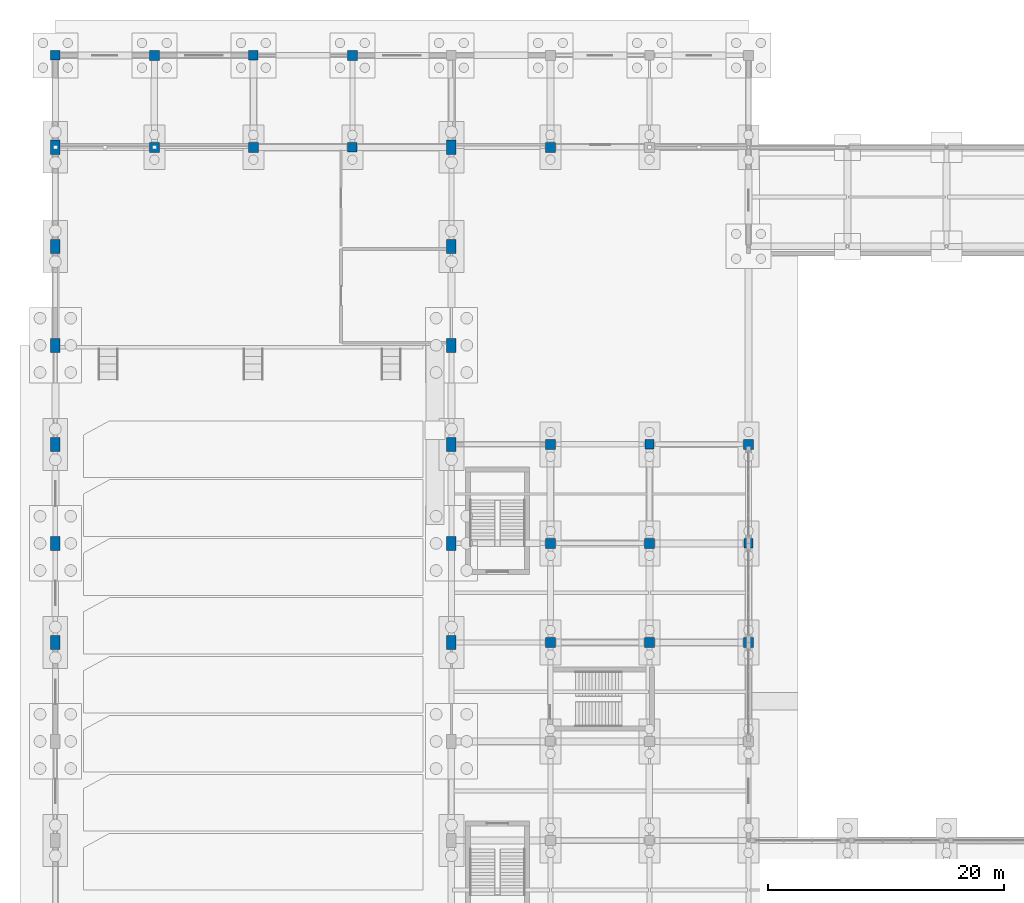
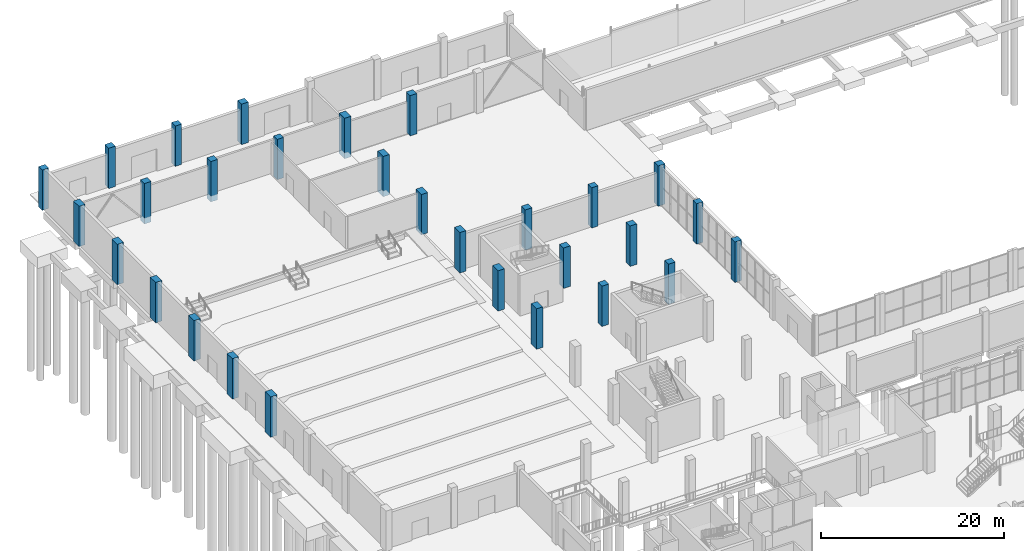
# One storey, part 14 of 82: 29 columns.
"""IFC4 building model written with IfcOpenShell, lengths in metres."""

from ifc_helpers import new_model, si_unit, derived_unit, direction, frame, origin, origin_2d, place, context, subcontext, project, spatial, rectangle, extrude, material, material_profile, profile_set, type_object, element, save


model = new_model("IFC4")

# Units and contexts
model_context = context("Model", 3, precision=1e-05, world=origin(), true_north=direction((0.0, 1.0)))
body_context = subcontext(model_context, "Body", "Model", "MODEL_VIEW")
ifc_project = project(units=[si_unit("LENGTHUNIT", "METRE"), si_unit("AREAUNIT", "SQUARE_METRE"), si_unit("VOLUMEUNIT", "CUBIC_METRE"), si_unit("PLANEANGLEUNIT", "RADIAN"), si_unit("MASSUNIT", "GRAM", prefix="KILO"), derived_unit("THERMALTRANSMITTANCEUNIT", [(si_unit("POWERUNIT", "WATT"), 1), (si_unit("LENGTHUNIT", "METRE"), -2), (si_unit("THERMODYNAMICTEMPERATUREUNIT", "KELVIN"), -1)])], contexts=[model_context])

# Site, building, storey
site_placement = place(None, origin())
site = spatial("IfcSite", under=ifc_project, at=site_placement, CompositionType="ELEMENT")
building_placement = place(site_placement, origin())
building = spatial("IfcBuilding", under=site, at=building_placement, Name="Barrovel Congress Hotel", CompositionType="ELEMENT")
storey_placement = place(building_placement, origin())
storey = spatial("IfcBuildingStorey", under=building, at=storey_placement, Name="L00", CompositionType="ELEMENT", Elevation=0.0)

# Columns
ifc_material = material(Name="Concrete C40", Category="concrete")
ifc_material_profile_1 = material_profile(ifc_material, rectangle(XDim=0.800048828125, YDim=1.199951171875, at=origin_2d()), Name="RC800x1200")
ifc_profile_set_1 = profile_set([ifc_material_profile_1], Name="Concrete C40")
column_type_1 = type_object("IfcColumnType", Name="COL-RC800x1200", PredefinedType="COLUMN", material=ifc_profile_set_1)
for number, where, z_axis, x_axis, name in (
    (1, (0.0, 63.0, 0.0), (0.0, 0.0, 1.0), (1.0, 0.0, 0.0), "COL:L00:0.0:63.0"),
    (2, (0.0, 71.39990234375, 0.0), (0.0, 0.0, 1.0), (1.0, 0.0, 0.0), "COL:L00:0.0:71.4"),
    (3, (0.0, 79.800048828125, 0.0), (0.0, 0.0, 1.0), (1.0, 0.0, 0.0), "COL:L00:0.0:79.8"),
    (4, (0.0, 88.199951171875, 0.0), (0.0, 0.0, 1.0), (1.0, 0.0, 0.0), "COL:L00:0.0:88.2"),
    (5, (0.0, 96.60009765625, 0.0), (0.0, 0.0, 1.0), (1.0, 0.0, 0.0), "COL:L00:0.0:96.6"),
    (6, (0.0, 105.0, 0.0), (0.0, 0.0, 1.0), (1.0, 0.0, 0.0), "COL:L00:0.0:105.0"),
    (7, (33.60009765625, 63.0, 0.0), (0.0, 0.0, 1.0), (1.0, 0.0, 0.0), "COL:L00:33.6:63.0"),
    (8, (33.60009765625, 71.39990234375, 0.0), (0.0, 0.0, 1.0), (1.0, 0.0, 0.0), "COL:L00:33.6:71.4"),
    (9, (33.60009765625, 79.800048828125, 0.0), (0.0, 0.0, 1.0), (1.0, 0.0, 0.0), "COL:L00:33.6:79.8"),
    (10, (33.60009765625, 88.199951171875, 0.0), (0.0, 0.0, 1.0), (1.0, 0.0, 0.0), "COL:L00:33.6:88.2"),
    (11, (33.60009765625, 96.60009765625, 0.0), (0.0, 0.0, 1.0), (1.0, 0.0, 0.0), "COL:L00:33.6:96.6"),
    (12, (33.60009765625, 105.0, 0.0), (0.0, 0.0, 1.0), (1.0, 0.0, 0.0), "COL:L00:33.6:105.0"),
):
    element("IfcColumn", number, at=place(storey_placement, frame(where, z_axis=z_axis, x_axis=x_axis)), inside=storey, type_object=column_type_1, Name=name, PredefinedType="COLUMN", context=body_context, shape_type="SweptSolid", body=[
        extrude(rectangle(XDim=0.800048828125, YDim=1.199951171875, at=origin_2d()), origin(), (0.0, 0.0, 1.0), 5.39990234375),
    ])
ifc_material_profile_2 = material_profile(ifc_material, rectangle(XDim=0.800048828125, YDim=0.800048828125, at=origin_2d()), Name="RC800x800")
ifc_profile_set_2 = profile_set([ifc_material_profile_2], Name="Concrete C40")
column_type_2 = type_object("IfcColumnType", Name="COL-RC800x800", PredefinedType="COLUMN", material=ifc_profile_set_2)
for number, where, z_axis, x_axis, name in (
    (13, (0.0, 112.800048828125, 0.0), (0.0, 0.0, 1.0), (1.0, 0.0, 0.0), "COL:L00:0.0:112.8"),
    (14, (16.800048828125, 112.800048828125, 0.0), (0.0, 0.0, 1.0), (1.0, 0.0, 0.0), "COL:L00:16.8:112.8"),
    (15, (25.199951171875, 105.0, 0.0), (0.0, 0.0, 1.0), (1.0, 0.0, 0.0), "COL:L00:25.2:105.0"),
    (16, (50.39990234375, 79.800048828125, 0.0), (0.0, 0.0, 1.0), (1.0, 0.0, 0.0), "COL:L00:50.4:79.8"),
    (17, (58.800048828125, 71.39990234375, 0.0), (0.0, 0.0, 1.0), (1.0, 0.0, 0.0), "COL:L00:58.8:71.4"),
):
    element("IfcColumn", number, at=place(storey_placement, frame(where, z_axis=z_axis, x_axis=x_axis)), inside=storey, type_object=column_type_2, Name=name, PredefinedType="COLUMN", context=body_context, shape_type="SweptSolid", body=[
        extrude(rectangle(XDim=0.800048828125, YDim=0.800048828125, at=origin_2d()), origin(), (0.0, 0.0, 1.0), 5.39990234375),
    ])
ifc_material_profile_3 = material_profile(ifc_material, rectangle(XDim=0.85009765625, YDim=0.85009765625, at=origin_2d()), Name="RC850x850")
ifc_profile_set_3 = profile_set([ifc_material_profile_3], Name="Concrete C40")
column_type_3 = type_object("IfcColumnType", Name="COL-RC850x850", PredefinedType="COLUMN", material=ifc_profile_set_3)
for number, where, z_axis, x_axis, name in (
    (18, (8.39990234375, 105.0, 0.0), (0.0, 0.0, 1.0), (1.0, 0.0, 0.0), "COL:L00:8.4:105.0"),
    (19, (8.39990234375, 112.800048828125, 0.0), (0.0, 0.0, 1.0), (1.0, 0.0, 0.0), "COL:L00:8.4:112.8"),
    (20, (16.800048828125, 105.0, 0.0), (0.0, 0.0, 1.0), (1.0, 0.0, 0.0), "COL:L00:16.8:105.0"),
    (21, (25.199951171875, 112.800048828125, 0.0), (0.0, 0.0, 1.0), (1.0, 0.0, 0.0), "COL:L00:25.2:112.8"),
    (22, (42.0, 63.0, 0.0), (0.0, 0.0, 1.0), (1.0, 0.0, 0.0), "COL:L00:42.0:63.0"),
    (23, (42.0, 71.39990234375, 0.0), (0.0, 0.0, 1.0), (1.0, 0.0, 0.0), "COL:L00:42.0:71.4"),
    (24, (42.0, 79.800048828125, 0.0), (0.0, 0.0, 1.0), (1.0, 0.0, 0.0), "COL:L00:42.0:79.8"),
    (25, (42.0, 105.0, 0.0), (0.0, 0.0, 1.0), (1.0, 0.0, 0.0), "COL:L00:42.0:105.0"),
    (26, (50.39990234375, 63.0, 0.0), (0.0, 0.0, 1.0), (1.0, 0.0, 0.0), "COL:L00:50.4:63.0"),
    (27, (50.39990234375, 71.39990234375, 0.0), (0.0, 0.0, 1.0), (1.0, 0.0, 0.0), "COL:L00:50.4:71.4"),
    (28, (58.800048828125, 63.0, 0.0), (0.0, 0.0, 1.0), (1.0, 0.0, 0.0), "COL:L00:58.8:63.0"),
    (29, (58.800048828125, 79.800048828125, 0.0), (0.0, 0.0, 1.0), (1.0, 0.0, 0.0), "COL:L00:58.8:79.8"),
):
    element("IfcColumn", number, at=place(storey_placement, frame(where, z_axis=z_axis, x_axis=x_axis)), inside=storey, type_object=column_type_3, Name=name, PredefinedType="COLUMN", context=body_context, shape_type="SweptSolid", body=[
        extrude(rectangle(XDim=0.85009765625, YDim=0.85009765625, at=origin_2d()), origin(), (0.0, 0.0, 1.0), 5.39990234375),
    ])

save(model, "model.ifc")
